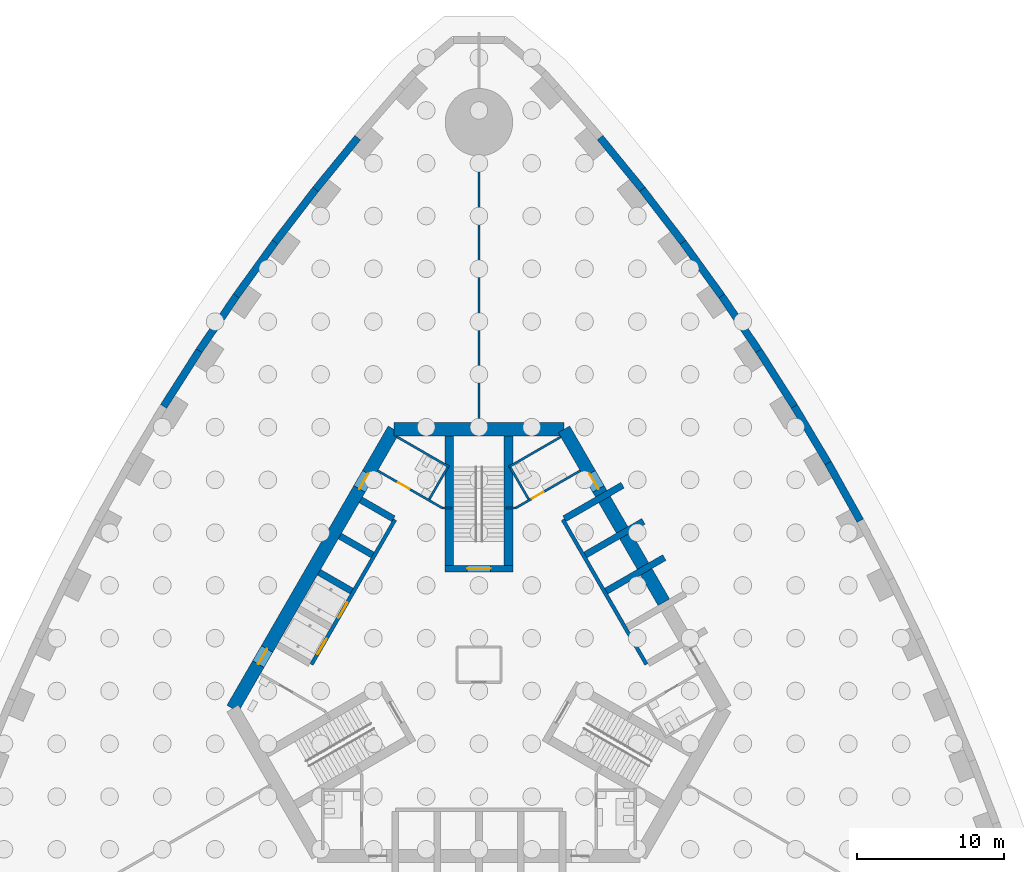
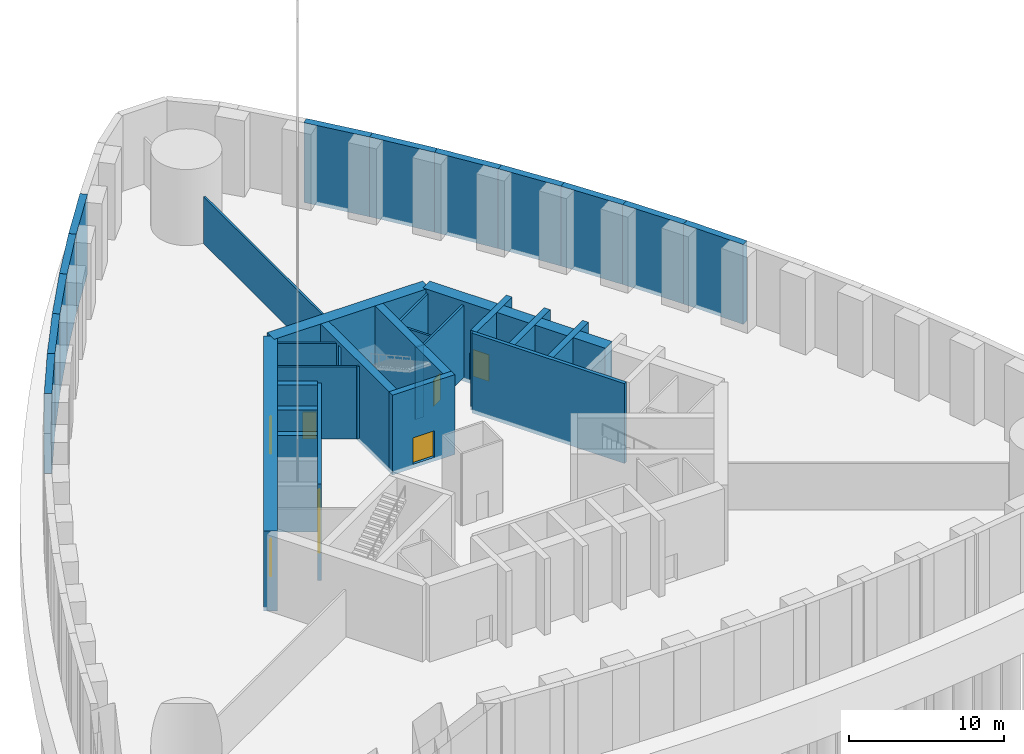
# One storey, part 4 of 12: 38 walls, 8 doors, 8 openings.
"""IFC4 building model written with IfcOpenShell, lengths in metres."""

from ifc_helpers import new_model, si_unit, direction, frame, frame_2d, origin, place, context, subcontext, project, spatial, rectangle, extrude, material, layer, layer_set, type_object, element, fill, save


model = new_model("IFC4")

# Units and contexts
model_context = context("Model", 3, precision=1e-05, world=origin(), true_north=direction((0.0, 1.0)))
body_context = subcontext(model_context, "Body", "Model", "MODEL_VIEW")
ifc_project = project(units=[si_unit("LENGTHUNIT", "METRE"), si_unit("AREAUNIT", "SQUARE_METRE"), si_unit("VOLUMEUNIT", "CUBIC_METRE"), si_unit("PLANEANGLEUNIT", "RADIAN"), si_unit("MASSUNIT", "GRAM", prefix="KILO")], contexts=[model_context])

# Site, building, storey
site_placement = place(None, origin())
site = spatial("IfcSite", under=ifc_project, at=site_placement, CompositionType="ELEMENT")
building_placement = place(site_placement, origin())
building = spatial("IfcBuilding", under=site, at=building_placement, Name="Trefoil Bronze Tower", CompositionType="ELEMENT")
storey_placement = place(building_placement, frame((0.0, 0.0, -6.0)))
storey = spatial("IfcBuildingStorey", under=building, at=storey_placement, Name="B1", CompositionType="ELEMENT", Elevation=-6.0)

# Walls
ifc_material_1 = material(Name="Concrete B40", Category="concrete")
ifc_layer_1 = layer(ifc_material_1, 0.5)
ifc_layer_set_1 = layer_set([ifc_layer_1], Name="Basement wall 500")
wall_type_1 = type_object("IfcWallType", Name="Basement wall 500", PredefinedType="SOLIDWALL", material=ifc_layer_set_1)
wall_1_placement = place(storey_placement, frame((26.008056640625, 9.819580078125, -0.300048828125), z_axis=(0.0, 0.0, 1.0), x_axis=(-0.487373854787, 0.873193406795, 0.0)))
element("IfcWall", 1, at=wall_1_placement, inside=storey, type_object=wall_type_1, Name="Basement wall 27", PredefinedType="SOLIDWALL", context=body_context, shape_type="SweptSolid", body=[
    extrude(rectangle(XDim=4.500244140625, YDim=0.5, at=frame_2d((2.25, 0.0))), origin(), (0.0, 0.0, 1.0), 6.300048828125),
])
wall_2_placement = place(storey_placement, frame((23.814697265625, 13.749267578125, -0.300048828125), z_axis=(0.0, 0.0, 1.0), x_axis=(-0.51252396108, 0.858672923364, 0.0)))
element("IfcWall", 2, at=wall_2_placement, inside=storey, type_object=wall_type_1, Name="Basement wall 28", PredefinedType="SOLIDWALL", context=body_context, shape_type="SweptSolid", body=[
    extrude(rectangle(XDim=4.50048828125, YDim=0.5, at=frame_2d((2.250244140625, 0.0))), origin(), (0.0, 0.0, 1.0), 6.300048828125),
])
wall_3_placement = place(storey_placement, frame((21.508056640625, 17.61376953125, -0.300048828125), z_axis=(0.0, 0.0, 1.0), x_axis=(-0.537243691336, 0.843427066272, 0.0)))
element("IfcWall", 3, at=wall_3_placement, inside=storey, type_object=wall_type_1, Name="Basement wall 29", PredefinedType="SOLIDWALL", context=body_context, shape_type="SweptSolid", body=[
    extrude(rectangle(XDim=4.50439453125, YDim=0.5, at=frame_2d((2.252197265625, 0.0))), origin(), (0.0, 0.0, 1.0), 6.300048828125),
])
wall_4_placement = place(storey_placement, frame((19.088134765625, 21.412841796875, -0.300048828125), z_axis=(0.0, 0.0, 1.0), x_axis=(-0.561512004239, 0.827468591002, 0.0)))
element("IfcWall", 4, at=wall_4_placement, inside=storey, type_object=wall_type_1, Name="Basement wall 30", PredefinedType="SOLIDWALL", context=body_context, shape_type="SweptSolid", body=[
    extrude(rectangle(XDim=4.51171875, YDim=0.5, at=frame_2d((2.255859375, 0.0))), origin(), (0.0, 0.0, 1.0), 6.300048828125),
])
wall_5_placement = place(storey_placement, frame((16.5546875, 25.146240234375, -0.300048828125), z_axis=(0.0, 0.0, 1.0), x_axis=(-0.58534077607, 0.810787380187, 0.0)))
element("IfcWall", 5, at=wall_5_placement, inside=storey, type_object=wall_type_1, Name="Basement wall 31", PredefinedType="SOLIDWALL", context=body_context, shape_type="SweptSolid", body=[
    extrude(rectangle(XDim=4.5234375, YDim=0.5, at=frame_2d((2.26171875, 0.0))), origin(), (0.0, 0.0, 1.0), 6.300048828125),
])
wall_6_placement = place(storey_placement, frame((13.906982421875, 28.813720703125, -0.300048828125), z_axis=(0.0, 0.0, 1.0), x_axis=(-0.608818785139, 0.79330932609, 0.0)))
element("IfcWall", 6, at=wall_6_placement, inside=storey, type_object=wall_type_1, Name="Basement wall 32", PredefinedType="SOLIDWALL", context=body_context, shape_type="SweptSolid", body=[
    extrude(rectangle(XDim=4.5390625, YDim=0.5, at=frame_2d((2.26953125, 0.0))), origin(), (0.0, 0.0, 1.0), 6.300048828125),
])
for number, where, z_axis, x_axis, name in (
    (7, (11.1435546875, 32.41455078125, -0.300048828125), (0.0, 0.0, 1.0), (-0.631833879056, 0.775103831288, 0.0), "Basement wall 33"),
    (8, (-8.263427734375, 35.94775390625, -0.300048828125), (0.0, 0.0, 1.0), (-0.631833879056, -0.775103831288, 0.0), "Basement wall 41"),
):
    element("IfcWall", number, at=place(storey_placement, frame(where, z_axis=z_axis, x_axis=x_axis)), inside=storey, type_object=wall_type_1, Name=name, PredefinedType="SOLIDWALL", context=body_context, shape_type="SweptSolid", body=[
        extrude(rectangle(XDim=4.558349609375, YDim=0.5, at=frame_2d((2.279296875, 0.0))), origin(), (0.0, 0.0, 1.0), 6.300048828125),
    ])
wall_7_placement = place(storey_placement, frame((-11.1435546875, 32.41455078125, -0.300048828125), z_axis=(0.0, 0.0, 1.0), x_axis=(-0.608818785139, -0.79330932609, 0.0)))
element("IfcWall", 9, at=wall_7_placement, inside=storey, type_object=wall_type_1, Name="Basement wall 42", PredefinedType="SOLIDWALL", context=body_context, shape_type="SweptSolid", body=[
    extrude(rectangle(XDim=4.5390625, YDim=0.5, at=frame_2d((2.26953125, 0.0))), origin(), (0.0, 0.0, 1.0), 6.300048828125),
])
wall_8_placement = place(storey_placement, frame((-13.906982421875, 28.813720703125, -0.300048828125), z_axis=(0.0, 0.0, 1.0), x_axis=(-0.58534077607, -0.810787380187, 0.0)))
element("IfcWall", 10, at=wall_8_placement, inside=storey, type_object=wall_type_1, Name="Basement wall 43", PredefinedType="SOLIDWALL", context=body_context, shape_type="SweptSolid", body=[
    extrude(rectangle(XDim=4.5234375, YDim=0.5, at=frame_2d((2.26171875, 0.0))), origin(), (0.0, 0.0, 1.0), 6.300048828125),
])
wall_9_placement = place(storey_placement, frame((-16.5546875, 25.146240234375, -0.300048828125), z_axis=(0.0, 0.0, 1.0), x_axis=(-0.561512004239, -0.827468591002, 0.0)))
element("IfcWall", 11, at=wall_9_placement, inside=storey, type_object=wall_type_1, Name="Basement wall 44", PredefinedType="SOLIDWALL", context=body_context, shape_type="SweptSolid", body=[
    extrude(rectangle(XDim=4.51171875, YDim=0.5, at=frame_2d((2.255859375, 0.0))), origin(), (0.0, 0.0, 1.0), 6.300048828125),
])
wall_10_placement = place(storey_placement, frame((-19.088134765625, 21.412841796875, -0.300048828125), z_axis=(0.0, 0.0, 1.0), x_axis=(-0.537243691336, -0.843427066272, 0.0)))
element("IfcWall", 12, at=wall_10_placement, inside=storey, type_object=wall_type_1, Name="Basement wall 45", PredefinedType="SOLIDWALL", context=body_context, shape_type="SweptSolid", body=[
    extrude(rectangle(XDim=4.50439453125, YDim=0.5, at=frame_2d((2.252197265625, 0.0))), origin(), (0.0, 0.0, 1.0), 6.300048828125),
])
ifc_material_2 = material(Name="Concrete B80", Category="concrete")
ifc_layer_2 = layer(ifc_material_2, 0.89990234375)
ifc_layer_set_2 = layer_set([ifc_layer_2], Name="Core wall 900")
wall_type_2 = type_object("IfcWallType", Name="Core wall 900", PredefinedType="SHEAR", material=ifc_layer_set_2)
for number, where, z_axis, x_axis, name in (
    (13, (12.614013671875, 4.251708984375, -0.300048828125), (0.0, 0.0, 1.0), (-0.500001309137, 0.866024647952, 0.0), "Core long wall 2-3 B1"),
    (14, (11.189208984375, 6.719970703125, -0.300048828125), (0.0, 0.0, 1.0), (-0.500077600433, 0.865980596518, 0.0), "Core long wall 2-4 B1"),
):
    element("IfcWall", number, at=place(storey_placement, frame(where, z_axis=z_axis, x_axis=x_axis)), inside=storey, type_object=wall_type_2, Name=name, PredefinedType="SHEAR", context=body_context, shape_type="SweptSolid", body=[
        extrude(rectangle(XDim=2.39990234375, YDim=0.89990234375, at=frame_2d((1.199951171875, 0.0))), origin(), (0.0, 0.0, 1.0), 6.300048828125),
    ])
wall_11_placement = place(storey_placement, frame((9.76416015625, 9.18798828125, -0.300048828125), z_axis=(0.0, 0.0, 1.0), x_axis=(-0.499957262057, 0.866050077142, 0.0)))
element("IfcWall", 15, at=wall_11_placement, inside=storey, type_object=wall_type_2, Name="Core long wall 2-5 B1", PredefinedType="SHEAR", context=body_context, shape_type="SweptSolid", body=[
    extrude(rectangle(XDim=2.400146484375, YDim=0.89990234375, at=frame_2d((1.2001953125, 0.0))), origin(), (0.0, 0.0, 1.0), 6.300048828125),
])

# Wall, opening, door
wall_12_placement = place(storey_placement, frame((8.339111328125, 11.65625, -0.300048828125), z_axis=(0.0, 0.0, 1.0), x_axis=(-0.499979327182, 0.866037338912, 0.0)))
wall_12 = element("IfcWall", 16, at=wall_12_placement, inside=storey, type_object=wall_type_2, Name="Core long wall 2-6 B1", PredefinedType="SHEAR", context=body_context, shape_type="SweptSolid", body=[
    extrude(rectangle(XDim=5.073486328125, YDim=0.89990234375, at=frame_2d((2.53662109375, 0.0))), origin(), (0.0, 0.0, 1.0), 6.300048828125),
])
opening_1_placement = place(wall_12_placement, frame((0.375, 0.0, 0.300048828125)))
opening_1 = element("IfcOpeningElement", 17, at=opening_1_placement, cuts=wall_12, Name="Opening D2", PredefinedType="OPENING", context=body_context, shape_type="SweptSolid", body=[
    extrude(rectangle(XDim=1.199951171875, YDim=2.10009765625, at=frame_2d((0.60009765625, 1.050048828125))), frame((0.0, 0.4599609375, 0.0), z_axis=(0.0, -1.0, 0.0), x_axis=(1.0, 0.0, 0.0)), (0.0, 0.0, 1.0), 0.919921875),
])
ifc_material_3 = material(Name="Steel door", Category="steel")
door_type_1 = type_object("IfcDoorType", Name="Lobby door 1200", OperationType="SINGLE_SWING_RIGHT", PredefinedType="DOOR", material=ifc_material_3)
door_1_placement = place(opening_1_placement, origin())
door_1 = element("IfcDoor", 18, at=door_1_placement, inside=storey, type_object=door_type_1, Name="Lobby door F2+ B1", OperationType="SINGLE_SWING_LEFT", OverallHeight=2.10009765625, OverallWidth=1.199951171875, PredefinedType="DOOR", context=body_context, shape_type="SweptSolid", body=[
    extrude(rectangle(XDim=1.199951171875, YDim=2.10009765625, at=frame_2d((0.60009765625, 1.050048828125))), frame((0.0, 0.02490234375, 0.0), z_axis=(0.0, -1.0, 0.0), x_axis=(1.0, 0.0, 0.0)), (0.0, 0.0, 1.0), 0.050048828125),
])
fill(opening_1, door_1)

# Wall
wall_13_placement = place(storey_placement, frame((5.802490234375, 16.050048828125, -0.300048828125), z_axis=(0.0, 0.0, 1.0), x_axis=(-1.0, 0.0, 0.0)))
element("IfcWall", 19, at=wall_13_placement, inside=storey, type_object=wall_type_2, Name="Core short wall 2 B1", PredefinedType="SHEAR", context=body_context, shape_type="SweptSolid", body=[
    extrude(rectangle(XDim=11.60498046875, YDim=0.89990234375, at=frame_2d((5.802490234375, 0.0))), origin(), (0.0, 0.0, 1.0), 6.300048828125),
])

# Wall, openings, doors
wall_14_placement = place(storey_placement, frame((-5.802490234375, 16.050048828125, -0.300048828125), z_axis=(0.0, 0.0, 1.0), x_axis=(-0.499991141822, -0.866030517996, 0.0)))
wall_14 = element("IfcWall", 20, at=wall_14_placement, inside=storey, type_object=wall_type_2, Name="Core long wall 3 B1", PredefinedType="SHEAR", context=body_context, shape_type="SweptSolid", body=[
    extrude(rectangle(XDim=21.9970703125, YDim=0.89990234375, at=frame_2d((10.99853515625, 0.0))), origin(), (0.0, 0.0, 1.0), 6.300048828125),
])
opening_2_placement = place(wall_14_placement, frame((17.298583984375, 0.0, 0.300048828125)))
opening_2 = element("IfcOpeningElement", 21, at=opening_2_placement, cuts=wall_14, Name="Opening D2", PredefinedType="OPENING", context=body_context, shape_type="SweptSolid", body=[
    extrude(rectangle(XDim=1.199951171875, YDim=2.10009765625, at=frame_2d((0.60009765625, 1.050048828125))), frame((0.0, 0.4599609375, 0.0), z_axis=(0.0, -1.0, 0.0), x_axis=(1.0, 0.0, 0.0)), (0.0, 0.0, 1.0), 0.919921875),
])
opening_3_placement = place(wall_14_placement, frame((3.49853515625, 0.0, 0.300048828125)))
opening_3 = element("IfcOpeningElement", 22, at=opening_3_placement, cuts=wall_14, Name="Opening D2", PredefinedType="OPENING", context=body_context, shape_type="SweptSolid", body=[
    extrude(rectangle(XDim=1.199951171875, YDim=2.10009765625, at=frame_2d((0.60009765625, 1.050048828125))), frame((0.0, 0.4599609375, 0.0), z_axis=(0.0, -1.0, 0.0), x_axis=(1.0, 0.0, 0.0)), (0.0, 0.0, 1.0), 0.919921875),
])
door_2_placement = place(opening_2_placement, origin())
door_2 = element("IfcDoor", 23, at=door_2_placement, inside=storey, type_object=door_type_1, Name="Lobby door F3+ B1", OperationType="SINGLE_SWING_RIGHT", OverallHeight=2.10009765625, OverallWidth=1.199951171875, PredefinedType="DOOR", context=body_context, shape_type="SweptSolid", body=[
    extrude(rectangle(XDim=1.199951171875, YDim=2.10009765625, at=frame_2d((0.60009765625, 1.050048828125))), frame((0.0, 0.02490234375, 0.0), z_axis=(0.0, -1.0, 0.0), x_axis=(1.0, 0.0, 0.0)), (0.0, 0.0, 1.0), 0.050048828125),
])
fill(opening_2, door_2)
door_3_placement = place(opening_3_placement, origin())
door_3 = element("IfcDoor", 24, at=door_3_placement, inside=storey, type_object=door_type_1, Name="Lobby door F3- B1", OperationType="SINGLE_SWING_LEFT", OverallHeight=2.10009765625, OverallWidth=1.199951171875, PredefinedType="DOOR", context=body_context, shape_type="SweptSolid", body=[
    extrude(rectangle(XDim=1.199951171875, YDim=2.10009765625, at=frame_2d((0.60009765625, 1.050048828125))), frame((0.0, 0.02490234375, 0.0), z_axis=(0.0, -1.0, 0.0), x_axis=(1.0, 0.0, 0.0)), (0.0, 0.0, 1.0), 0.050048828125),
])
fill(opening_3, door_3)

# Walls
ifc_material_4 = material(Name="Concrete B80", Category="concrete")
ifc_layer_3 = layer(ifc_material_4, 0.449951171875)
ifc_layer_set_3 = layer_set([ifc_layer_3], Name="Outrigger shaft wall 450")
wall_type_3 = type_object("IfcWallType", Name="Outrigger shaft wall 450", PredefinedType="SHEAR", material=ifc_layer_set_3)
wall_15_placement = place(storey_placement, frame((8.681884765625, 5.012451171875, -0.300048828125), z_axis=(0.0, 0.0, 1.0), x_axis=(0.866021187218, 0.500007303237, 0.0)))
element("IfcWall", 25, at=wall_15_placement, inside=storey, type_object=wall_type_3, Name="Lift shaft side wall B2 B1", PredefinedType="SHEAR", context=body_context, shape_type="SweptSolid", body=[
    extrude(rectangle(XDim=4.5751953125, YDim=0.449951171875, at=frame_2d((2.28759765625, 0.0))), origin(), (0.0, 0.0, 1.0), 6.300048828125),
])
wall_16_placement = place(storey_placement, frame((7.2568359375, 7.480712890625, -0.300048828125), z_axis=(0.0, 0.0, 1.0), x_axis=(0.866044293806, 0.499967280095, 0.0)))
element("IfcWall", 26, at=wall_16_placement, inside=storey, type_object=wall_type_3, Name="Lift shaft side wall B3 B1", PredefinedType="SHEAR", context=body_context, shape_type="SweptSolid", body=[
    extrude(rectangle(XDim=4.574951171875, YDim=0.449951171875, at=frame_2d((2.28759765625, 0.0))), origin(), (0.0, 0.0, 1.0), 6.300048828125),
])
wall_17_placement = place(storey_placement, frame((5.831787109375, 9.94873046875, -0.300048828125), z_axis=(0.0, 0.0, 1.0), x_axis=(0.866021187218, 0.500007303237, 0.0)))
element("IfcWall", 27, at=wall_17_placement, inside=storey, type_object=wall_type_3, Name="Lift shaft side wall B4 B1", PredefinedType="SHEAR", context=body_context, shape_type="SweptSolid", body=[
    extrude(rectangle(XDim=4.5751953125, YDim=0.449951171875, at=frame_2d((2.28759765625, 0.0))), origin(), (0.0, 0.0, 1.0), 6.300048828125),
])
wall_18_placement = place(storey_placement, frame((-5.831787109375, 9.94873046875, -1.60009765625), z_axis=(0.0, 0.0, 1.0), x_axis=(-0.866029291668, 0.499993265928, 0.0)))
element("IfcWall", 28, at=wall_18_placement, inside=storey, type_object=wall_type_3, Name="Lift shaft side wall C0 B1", PredefinedType="SHEAR", context=body_context, shape_type="SweptSolid", body=[
    extrude(rectangle(XDim=2.5751953125, YDim=0.449951171875, at=frame_2d((1.28759765625, 0.0))), origin(), (0.0, 0.0, 1.0), 7.60009765625),
])
for number, where, z_axis, x_axis, name in (
    (29, (-7.2568359375, 7.480712890625, -1.60009765625), (0.0, 0.0, 1.0), (-0.866046643894, 0.499963209246, 0.0), "Lift shaft side wall C1 B1"),
    (30, (-8.681884765625, 5.012451171875, -1.60009765625), (0.0, 0.0, 1.0), (-0.866005588531, 0.500034319456, 0.0), "Lift shaft side wall C2 B1"),
):
    element("IfcWall", number, at=place(storey_placement, frame(where, z_axis=z_axis, x_axis=x_axis)), inside=storey, type_object=wall_type_3, Name=name, PredefinedType="SHEAR", context=body_context, shape_type="SweptSolid", body=[
        extrude(rectangle(XDim=2.574951171875, YDim=0.449951171875, at=frame_2d((1.28759765625, 0.0))), origin(), (0.0, 0.0, 1.0), 7.60009765625),
    ])

# Wall, opening, door
wall_19_placement = place(storey_placement, frame((2.324951171875, 6.550048828125, -0.300048828125), z_axis=(0.0, 0.0, 1.0), x_axis=(-1.0, 0.0, 0.0)))
wall_19 = element("IfcWall", 31, at=wall_19_placement, inside=storey, type_object=wall_type_3, Name="Stair end wall ST2 B1", PredefinedType="SHEAR", context=body_context, shape_type="SweptSolid", body=[
    extrude(rectangle(XDim=4.64990234375, YDim=0.449951171875, at=frame_2d((2.324951171875, 0.0))), origin(), (0.0, 0.0, 1.0), 6.300048828125),
])
opening_4_placement = place(wall_19_placement, frame((1.52490234375, 0.0, 0.300048828125)))
opening_4 = element("IfcOpeningElement", 32, at=opening_4_placement, cuts=wall_19, Name="Opening D1", PredefinedType="OPENING", context=body_context, shape_type="SweptSolid", body=[
    extrude(rectangle(XDim=1.60009765625, YDim=2.10009765625, at=frame_2d((0.800048828125, 1.050048828125))), frame((0.0, 0.23486328125, 0.0), z_axis=(0.0, -1.0, 0.0), x_axis=(1.0, 0.0, 0.0)), (0.0, 0.0, 1.0), 0.469970703125),
])
ifc_material_5 = material(Name="Steel door", Category="steel")
door_type_2 = type_object("IfcDoorType", Name="Stair door 1600", OperationType="DOUBLE_DOOR_SINGLE_SWING", PredefinedType="DOOR", material=ifc_material_5)
door_4_placement = place(opening_4_placement, frame((1.60009765625, 0.0, 0.0), z_axis=(0.0, 0.0, 1.0), x_axis=(-1.0, 0.0, 0.0)))
door_4 = element("IfcDoor", 33, at=door_4_placement, inside=storey, type_object=door_type_2, Name="Stair door ST2 B1", OperationType="DOUBLE_DOOR_SINGLE_SWING", OverallHeight=2.10009765625, OverallWidth=1.60009765625, PredefinedType="DOOR", context=body_context, shape_type="SweptSolid", body=[
    extrude(rectangle(XDim=1.60009765625, YDim=2.10009765625, at=frame_2d((0.800048828125, 1.050048828125))), frame((0.0, 0.02490234375, 0.0), z_axis=(0.0, -1.0, 0.0), x_axis=(1.0, 0.0, 0.0)), (0.0, 0.0, 1.0), 0.050048828125),
])
fill(opening_4, door_4)

ifc_material_6 = material(Name="Gypsum board on steel studs", Category="steel")
ifc_layer_4 = layer(ifc_material_6, 0.14990234375)
ifc_layer_set_4 = layer_set([ifc_layer_4], Name="Partition 150")
wall_type_4 = type_object("IfcWallType", Name="Partition 150", PredefinedType="PARTITIONING", material=ifc_layer_set_4)
wall_20_placement = place(storey_placement, frame((2.4951171875, 10.67822265625, 0.0), z_axis=(0.0, 0.0, 1.0), x_axis=(0.86602216432, 0.500005610874, 0.0)))
wall_20 = element("IfcWall", 34, at=wall_20_placement, inside=storey, type_object=wall_type_4, Name="Passage wall F2+ B1", PredefinedType="PARTITIONING", context=body_context, shape_type="SweptSolid", body=[
    extrude(rectangle(XDim=5.10009765625, YDim=0.14990234375, at=frame_2d((2.550048828125, 0.0))), origin(), (0.0, 0.0, 1.0), 5.699951171875),
])
opening_5_placement = place(wall_20_placement, frame((1.300048828125, 0.0, 0.0)))
opening_5 = element("IfcOpeningElement", 35, at=opening_5_placement, cuts=wall_20, Name="Opening D3", PredefinedType="OPENING", context=body_context, shape_type="SweptSolid", body=[
    extrude(rectangle(XDim=0.89990234375, YDim=2.10009765625, at=frame_2d((0.449951171875, 1.050048828125))), frame((0.0, 0.0849609375, 0.0), z_axis=(0.0, -1.0, 0.0), x_axis=(1.0, 0.0, 0.0)), (0.0, 0.0, 1.0), 0.169921875),
])
ifc_material_7 = material(Name="Timber door", Category="wood")
door_type_3 = type_object("IfcDoorType", Name="WC door 900", OperationType="SINGLE_SWING_LEFT", PredefinedType="DOOR", material=ifc_material_7)
door_5_placement = place(opening_5_placement, origin())
door_5 = element("IfcDoor", 36, at=door_5_placement, inside=storey, type_object=door_type_3, Name="WC (men) door B1", OperationType="SINGLE_SWING_LEFT", OverallHeight=2.10009765625, OverallWidth=0.89990234375, PredefinedType="DOOR", context=body_context, shape_type="SweptSolid", body=[
    extrude(rectangle(XDim=0.89990234375, YDim=2.10009765625, at=frame_2d((0.449951171875, 1.050048828125))), frame((0.0, 0.02490234375, 0.0), z_axis=(0.0, -1.0, 0.0), x_axis=(1.0, 0.0, 0.0)), (0.0, 0.0, 1.0), 0.050048828125),
])
fill(opening_5, door_5)

wall_21_placement = place(storey_placement, frame((-2.4951171875, 10.67822265625, 0.0), z_axis=(0.0, 0.0, 1.0), x_axis=(-0.86602216432, 0.500005610874, 0.0)))
wall_21 = element("IfcWall", 37, at=wall_21_placement, inside=storey, type_object=wall_type_4, Name="Passage wall F3- B1", PredefinedType="PARTITIONING", context=body_context, shape_type="SweptSolid", body=[
    extrude(rectangle(XDim=5.10009765625, YDim=0.14990234375, at=frame_2d((2.550048828125, 0.0))), origin(), (0.0, 0.0, 1.0), 5.699951171875),
])
opening_6_placement = place(wall_21_placement, frame((2.60009765625, 0.0, 0.0)))
opening_6 = element("IfcOpeningElement", 38, at=opening_6_placement, cuts=wall_21, Name="Opening D3", PredefinedType="OPENING", context=body_context, shape_type="SweptSolid", body=[
    extrude(rectangle(XDim=0.89990234375, YDim=2.10009765625, at=frame_2d((0.449951171875, 1.050048828125))), frame((0.0, 0.0849609375, 0.0), z_axis=(0.0, -1.0, 0.0), x_axis=(1.0, 0.0, 0.0)), (0.0, 0.0, 1.0), 0.169921875),
])
door_6_placement = place(opening_6_placement, frame((0.89990234375, 0.0, 0.0), z_axis=(0.0, 0.0, 1.0), x_axis=(-1.0, 0.0, 0.0)))
door_6 = element("IfcDoor", 39, at=door_6_placement, inside=storey, type_object=door_type_3, Name="WC (women) door B1", OperationType="SINGLE_SWING_RIGHT", OverallHeight=2.10009765625, OverallWidth=0.89990234375, PredefinedType="DOOR", context=body_context, shape_type="SweptSolid", body=[
    extrude(rectangle(XDim=0.89990234375, YDim=2.10009765625, at=frame_2d((0.449951171875, 1.050048828125))), frame((0.0, 0.02490234375, 0.0), z_axis=(0.0, -1.0, 0.0), x_axis=(1.0, 0.0, 0.0)), (0.0, 0.0, 1.0), 0.050048828125),
])
fill(opening_6, door_6)

# Walls
for number, where, z_axis, x_axis, name in (
    (40, (2.4951171875, 10.67822265625, 0.0), (0.0, 0.0, 1.0), (-1.0, 0.0, 0.0), "WC wall ST2-1 B1"),
    (41, (-2.4951171875, 10.67822265625, 0.0), (0.0, 0.0, 1.0), (1.0, 0.0, 0.0), "WC wall ST2+1 B1"),
):
    element("IfcWall", number, at=place(storey_placement, frame(where, z_axis=z_axis, x_axis=x_axis)), inside=storey, type_object=wall_type_4, Name=name, PredefinedType="PARTITIONING", context=body_context, shape_type="SweptSolid", body=[
        extrude(rectangle(XDim=0.64501953125, YDim=0.14990234375, at=frame_2d((0.322509765625, 0.0))), origin(), (0.0, 0.0, 1.0), 5.699951171875),
    ])
wall_22_placement = place(storey_placement, frame((2.03125, 13.48193359375, 0.0), z_axis=(0.0, 0.0, 1.0), x_axis=(0.866050731258, 0.499956128963, 0.0)))
element("IfcWall", 42, at=wall_22_placement, inside=storey, type_object=wall_type_4, Name="WC partition WC (men) B1", PredefinedType="PARTITIONING", context=body_context, shape_type="SweptSolid", body=[
    extrude(rectangle(XDim=4.099853515625, YDim=0.14990234375, at=frame_2d((2.0498046875, 0.0))), origin(), (0.0, 0.0, 1.0), 5.699951171875),
])
wall_23_placement = place(storey_placement, frame((3.388671875, 11.28076171875, 0.0), z_axis=(0.0, 0.0, 1.0), x_axis=(-0.499989096993, 0.866031698547, 0.0)))
element("IfcWall", 43, at=wall_23_placement, inside=storey, type_object=wall_type_4, Name="WC partition WC (men) B1", PredefinedType="PARTITIONING", context=body_context, shape_type="SweptSolid", body=[
    extrude(rectangle(XDim=2.509765625, YDim=0.14990234375, at=frame_2d((1.2548828125, 0.0))), origin(), (0.0, 0.0, 1.0), 5.699951171875),
])
wall_24_placement = place(storey_placement, frame((-2.03125, 13.48193359375, 0.0), z_axis=(0.0, 0.0, 1.0), x_axis=(-0.866050731258, 0.499956128963, 0.0)))
element("IfcWall", 44, at=wall_24_placement, inside=storey, type_object=wall_type_4, Name="WC partition WC (women) B1", PredefinedType="PARTITIONING", context=body_context, shape_type="SweptSolid", body=[
    extrude(rectangle(XDim=4.099853515625, YDim=0.14990234375, at=frame_2d((2.0498046875, 0.0))), origin(), (0.0, 0.0, 1.0), 5.699951171875),
])
wall_25_placement = place(storey_placement, frame((-3.388671875, 11.28076171875, 0.0), z_axis=(0.0, 0.0, 1.0), x_axis=(0.499989096993, 0.866031698547, 0.0)))
element("IfcWall", 45, at=wall_25_placement, inside=storey, type_object=wall_type_4, Name="WC partition WC (women) B1", PredefinedType="PARTITIONING", context=body_context, shape_type="SweptSolid", body=[
    extrude(rectangle(XDim=2.509765625, YDim=0.14990234375, at=frame_2d((1.2548828125, 0.0))), origin(), (0.0, 0.0, 1.0), 5.699951171875),
])
ifc_material_8 = material(Name="Gypsum board on steel studs", Category="steel")
ifc_layer_5 = layer(ifc_material_8, 0.14990234375)
ifc_layer_set_5 = layer_set([ifc_layer_5], Name="Party wall 150")
wall_type_5 = type_object("IfcWallType", Name="Party wall 150", PredefinedType="PARTITIONING", material=ifc_layer_set_5)
wall_26_placement = place(storey_placement, frame((0.0, 16.39990234375, 0.0), z_axis=(0.0, 0.0, 1.0), x_axis=(0.0, 1.0, 0.0)))
element("IfcWall", 46, at=wall_26_placement, inside=storey, type_object=wall_type_5, Name="Party wall K2 B1", PredefinedType="PARTITIONING", context=body_context, shape_type="SweptSolid", body=[
    extrude(rectangle(XDim=18.25, YDim=0.14990234375, at=frame_2d((9.125, 0.0))), origin(), (0.0, 0.0, 1.0), 3.699951171875),
])
ifc_material_9 = material(Name="Concrete B80", Category="concrete")
ifc_layer_6 = layer(ifc_material_9, 0.25)
ifc_layer_set_6 = layer_set([ifc_layer_6], Name="Shaft wall 250")
wall_type_6 = type_object("IfcWallType", Name="Shaft wall 250", PredefinedType="SHEAR", material=ifc_layer_set_6)
wall_27_placement = place(storey_placement, frame((11.423583984375, 0.013671875, -0.300048828125), z_axis=(0.0, 0.0, 1.0), x_axis=(-0.500001763848, 0.866024385424, 0.0)))
element("IfcWall", 47, at=wall_27_placement, inside=storey, type_object=wall_type_6, Name="Lift shaft front wall B B1", PredefinedType="SHEAR", context=body_context, shape_type="SweptSolid", body=[
    extrude(rectangle(XDim=11.39990234375, YDim=0.25, at=frame_2d((5.699951171875, 0.0))), origin(), (0.0, 0.0, 1.0), 6.300048828125),
])

# Wall, openings, doors
wall_28_placement = place(storey_placement, frame((-5.7236328125, 9.88623046875, -1.60009765625), z_axis=(0.0, 0.0, 1.0), x_axis=(-0.500001763848, -0.866024385424, 0.0)))
wall_28 = element("IfcWall", 48, at=wall_28_placement, inside=storey, type_object=wall_type_6, Name="Lift shaft front wall C B1", PredefinedType="SHEAR", context=body_context, shape_type="SweptSolid", body=[
    extrude(rectangle(XDim=11.39990234375, YDim=0.25, at=frame_2d((5.699951171875, 0.0))), origin(), (0.0, 0.0, 1.0), 7.60009765625),
])
opening_7_placement = place(wall_28_placement, frame((6.52490234375, 0.0, 1.60009765625)))
opening_7 = element("IfcOpeningElement", 49, at=opening_7_placement, cuts=wall_28, Name="Opening LD-FL1", PredefinedType="OPENING", context=body_context, shape_type="SweptSolid", body=[
    extrude(rectangle(XDim=1.199951171875, YDim=2.199951171875, at=frame_2d((0.60009765625, 1.10009765625))), frame((0.0, 0.135009765625, 0.0), z_axis=(0.0, -1.0, 0.0), x_axis=(1.0, 0.0, 0.0)), (0.0, 0.0, 1.0), 0.27001953125),
])
opening_8_placement = place(wall_28_placement, frame((9.375, 0.0, 1.60009765625)))
opening_8 = element("IfcOpeningElement", 50, at=opening_8_placement, cuts=wall_28, Name="Opening LD-FL2", PredefinedType="OPENING", context=body_context, shape_type="SweptSolid", body=[
    extrude(rectangle(XDim=1.199951171875, YDim=2.199951171875, at=frame_2d((0.60009765625, 1.10009765625))), frame((0.0, 0.135009765625, 0.0), z_axis=(0.0, -1.0, 0.0), x_axis=(1.0, 0.0, 0.0)), (0.0, 0.0, 1.0), 0.27001953125),
])
ifc_material_10 = material(Name="Steel door", Category="steel")
door_type_4 = type_object("IfcDoorType", Name="Lift landing door 1200", OperationType="DOUBLE_DOOR_SLIDING", PredefinedType="DOOR", material=ifc_material_10)
door_7_placement = place(opening_7_placement, origin())
door_7 = element("IfcDoor", 51, at=door_7_placement, inside=storey, type_object=door_type_4, Name="Lift FL1 landing door B1", OperationType="DOUBLE_DOOR_SLIDING", OverallHeight=2.199951171875, OverallWidth=1.199951171875, PredefinedType="DOOR", context=body_context, shape_type="SweptSolid", body=[
    extrude(rectangle(XDim=1.199951171875, YDim=2.199951171875, at=frame_2d((0.60009765625, 1.10009765625))), frame((0.0, 0.02490234375, 0.0), z_axis=(0.0, -1.0, 0.0), x_axis=(1.0, 0.0, 0.0)), (0.0, 0.0, 1.0), 0.050048828125),
])
fill(opening_7, door_7)
door_8_placement = place(opening_8_placement, origin())
door_8 = element("IfcDoor", 52, at=door_8_placement, inside=storey, type_object=door_type_4, Name="Lift FL2 landing door B1", OperationType="DOUBLE_DOOR_SLIDING", OverallHeight=2.199951171875, OverallWidth=1.199951171875, PredefinedType="DOOR", context=body_context, shape_type="SweptSolid", body=[
    extrude(rectangle(XDim=1.199951171875, YDim=2.199951171875, at=frame_2d((0.60009765625, 1.10009765625))), frame((0.0, 0.02490234375, 0.0), z_axis=(0.0, -1.0, 0.0), x_axis=(1.0, 0.0, 0.0)), (0.0, 0.0, 1.0), 0.050048828125),
])
fill(opening_8, door_8)

# Walls
ifc_material_11 = material(Name="Concrete B80", Category="concrete")
ifc_layer_7 = layer(ifc_material_11, 0.60009765625)
ifc_layer_set_7 = layer_set([ifc_layer_7], Name="Stair wall 600")
wall_type_7 = type_object("IfcWallType", Name="Stair wall 600", PredefinedType="SHEAR", material=ifc_layer_set_7)
for number, where, z_axis, x_axis, name in (
    (53, (2.02490234375, 6.52490234375, -0.300048828125), (0.0, 0.0, 1.0), (0.0, 1.0, 0.0), "Stair wall ST2 B1"),
    (54, (-2.02490234375, 6.52490234375, -0.300048828125), (0.0, 0.0, 1.0), (0.0, 1.0, 0.0), "Stair wall ST2 B1"),
):
    element("IfcWall", number, at=place(storey_placement, frame(where, z_axis=z_axis, x_axis=x_axis)), inside=storey, type_object=wall_type_7, Name=name, PredefinedType="SHEAR", context=body_context, shape_type="SweptSolid", body=[
        extrude(rectangle(XDim=9.0751953125, YDim=0.60009765625, at=frame_2d((4.53759765625, 0.0))), origin(), (0.0, 0.0, 1.0), 6.300048828125),
    ])

save(model, "model.ifc")
